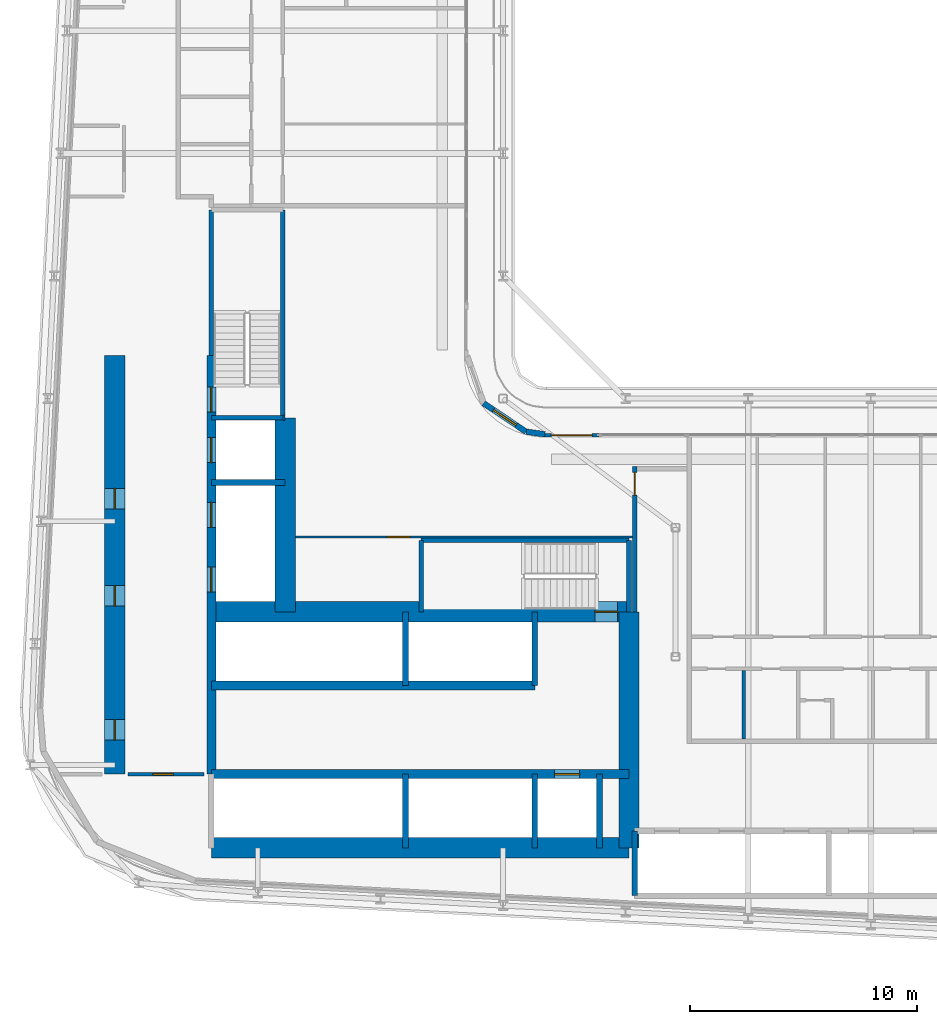
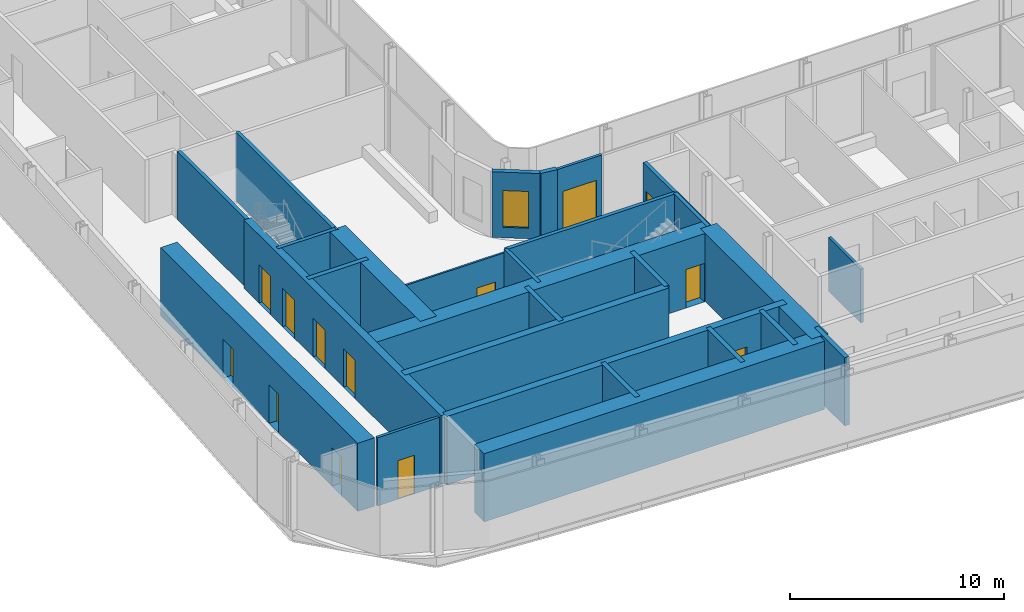
# One storey, part 13 of 28: 29 walls, 13 doors, 1 window, 14 openings.
"""IFC4 building model written with IfcOpenShell, lengths in metres."""

from ifc_helpers import new_model, si_unit, direction, frame, frame_2d, origin, place, context, subcontext, project, spatial, rectangle, extrude, source, transform, mapped, material, layer, layer_set, type_object, element, fill, save


model = new_model("IFC4")

# Units and contexts
model_context = context("Model", 3, precision=1e-05, world=origin(), true_north=direction((0.0, 1.0)))
body_context = subcontext(model_context, "Body", "Model", "MODEL_VIEW")
ifc_project = project(units=[si_unit("LENGTHUNIT", "METRE"), si_unit("AREAUNIT", "SQUARE_METRE"), si_unit("VOLUMEUNIT", "CUBIC_METRE"), si_unit("PLANEANGLEUNIT", "RADIAN"), si_unit("MASSUNIT", "GRAM", prefix="KILO")], contexts=[model_context])

# Site, building, storey
site_placement = place(None, origin())
site = spatial("IfcSite", under=ifc_project, at=site_placement, CompositionType="ELEMENT")
building_placement = place(site_placement, origin())
building = spatial("IfcBuilding", under=site, at=building_placement, Name="Kheshtan School and Residences Tower", CompositionType="ELEMENT")
storey_placement = place(building_placement, frame((0.0, 0.0, 137.0)))
storey = spatial("IfcBuildingStorey", under=building, at=storey_placement, Name="L32", CompositionType="ELEMENT", Elevation=137.0)

# Wall, opening, door
ifc_material_1 = material(Name="Concrete C50/60", Category="concrete")
ifc_layer_1 = layer(ifc_material_1, 0.39990234375)
ifc_layer_set_1 = layer_set([ifc_layer_1], Name="Core wall 400 Concrete C50/60")
wall_type_1 = type_object("IfcWallType", Name="Core wall 400 Concrete C50/60", PredefinedType="SHEAR", material=ifc_layer_set_1)
wall_1_placement = place(storey_placement, frame((34.75, 29.050048828125, 0.0), z_axis=(0.0, 0.0, 1.0), x_axis=(1.0, 0.0, 0.0)))
wall_1 = element("IfcWall", 1, at=wall_1_placement, inside=storey, type_object=wall_type_1, Name="Core wall CW-HALL-S1", PredefinedType="SHEAR", context=body_context, shape_type="SweptSolid", body=[
    extrude(rectangle(XDim=18.39990234375, YDim=0.39990234375, at=frame_2d((9.199951171875, 0.0))), origin(), (0.0, 0.0, 1.0), 3.89990234375),
])
opening_1_placement = place(wall_1_placement, frame((15.125, 0.0, 0.0)))
opening_1 = element("IfcOpeningElement", 2, at=opening_1_placement, cuts=wall_1, Name="Opening LD", PredefinedType="OPENING", context=body_context, shape_type="SweptSolid", body=[
    extrude(rectangle(XDim=1.10009765625, YDim=2.199951171875, at=frame_2d((0.550048828125, 1.10009765625))), frame((0.0, 0.2099609375, 0.0), z_axis=(0.0, -1.0, 0.0), x_axis=(1.0, 0.0, 0.0)), (0.0, 0.0, 1.0), 0.419921875),
])
ifc_material_2 = material(Name="Stainless steel door leaves", Category="steel")
door_type_1 = type_object("IfcDoorType", Name="Lift landing door 1100", OperationType="SLIDING_TO_LEFT", PredefinedType="DOOR", material=ifc_material_2)
shared_shape_1 = source(origin(), body_context, "Body", "SweptSolid", [
    extrude(rectangle(XDim=1.10009765625, YDim=2.199951171875, at=frame_2d((0.550048828125, 1.10009765625))), frame((0.0, 0.02490234375, 0.0), z_axis=(0.0, -1.0, 0.0), x_axis=(1.0, 0.0, 0.0)), (0.0, 0.0, 1.0), 0.050048828125),
])
door_1_placement = place(opening_1_placement, origin())
door_1 = element("IfcDoor", 3, at=door_1_placement, inside=storey, type_object=door_type_1, Name="Lift FFL2 landing door", OperationType="SLIDING_TO_LEFT", OverallHeight=2.199951171875, OverallWidth=1.10009765625, PredefinedType="DOOR", context=body_context, shape_type="MappedRepresentation", body=[
    mapped(shared_shape_1, transform((0.0, 0.0, 0.0), x_axis=(1.0, 0.0, 0.0), y_axis=(0.0, 1.0, 0.0), z_axis=(0.0, 0.0, 1.0), scale=1.0)),
])
fill(opening_1, door_1)

# Wall
wall_2_placement = place(storey_placement, frame((34.75, 32.949951171875, 0.0), z_axis=(0.0, 0.0, 1.0), x_axis=(1.0, 0.0, 0.0)))
element("IfcWall", 4, at=wall_2_placement, inside=storey, type_object=wall_type_1, Name="Core wall CW-HALL-S2", PredefinedType="SHEAR", context=body_context, shape_type="SweptSolid", body=[
    extrude(rectangle(XDim=14.25, YDim=0.39990234375, at=frame_2d((7.125, 0.0))), origin(), (0.0, 0.0, 1.0), 3.89990234375),
])

# Wall, openings, doors
wall_3_placement = place(storey_placement, frame((34.75, 29.050048828125, 0.0), z_axis=(0.0, 0.0, 1.0), x_axis=(0.0, 1.0, 0.0)))
wall_3 = element("IfcWall", 5, at=wall_3_placement, inside=storey, type_object=wall_type_1, Name="Core wall CW-HALL-W1", PredefinedType="SHEAR", context=body_context, shape_type="SweptSolid", body=[
    extrude(rectangle(XDim=18.449951171875, YDim=0.39990234375, at=frame_2d((9.22509765625, 0.0))), origin(), (0.0, 0.0, 1.0), 3.89990234375),
])
opening_2_placement = place(wall_3_placement, frame((8.02490234375, 0.0, 0.0)))
opening_2 = element("IfcOpeningElement", 6, at=opening_2_placement, cuts=wall_3, Name="Opening LD", PredefinedType="OPENING", context=body_context, shape_type="SweptSolid", body=[
    extrude(rectangle(XDim=1.10009765625, YDim=2.199951171875, at=frame_2d((0.550048828125, 1.10009765625))), frame((0.0, 0.2099609375, 0.0), z_axis=(0.0, -1.0, 0.0), x_axis=(1.0, 0.0, 0.0)), (0.0, 0.0, 1.0), 0.419921875),
])
opening_3_placement = place(wall_3_placement, frame((10.875, 0.0, 0.0)))
opening_3 = element("IfcOpeningElement", 7, at=opening_3_placement, cuts=wall_3, Name="Opening LD", PredefinedType="OPENING", context=body_context, shape_type="SweptSolid", body=[
    extrude(rectangle(XDim=1.10009765625, YDim=2.199951171875, at=frame_2d((0.550048828125, 1.10009765625))), frame((0.0, 0.2099609375, 0.0), z_axis=(0.0, -1.0, 0.0), x_axis=(1.0, 0.0, 0.0)), (0.0, 0.0, 1.0), 0.419921875),
])
opening_4_placement = place(wall_3_placement, frame((13.72509765625, 0.0, 0.0)))
opening_4 = element("IfcOpeningElement", 8, at=opening_4_placement, cuts=wall_3, Name="Opening LD", PredefinedType="OPENING", context=body_context, shape_type="SweptSolid", body=[
    extrude(rectangle(XDim=1.10009765625, YDim=2.199951171875, at=frame_2d((0.550048828125, 1.10009765625))), frame((0.0, 0.2099609375, 0.0), z_axis=(0.0, -1.0, 0.0), x_axis=(1.0, 0.0, 0.0)), (0.0, 0.0, 1.0), 0.419921875),
])
opening_5_placement = place(wall_3_placement, frame((15.949951171875, 0.0, 0.0)))
opening_5 = element("IfcOpeningElement", 9, at=opening_5_placement, cuts=wall_3, Name="Opening ST2D", PredefinedType="OPENING", context=body_context, shape_type="SweptSolid", body=[
    extrude(rectangle(XDim=1.10009765625, YDim=2.199951171875, at=frame_2d((0.550048828125, 1.10009765625))), frame((0.0, 0.2099609375, 0.0), z_axis=(0.0, -1.0, 0.0), x_axis=(1.0, 0.0, 0.0)), (0.0, 0.0, 1.0), 0.419921875),
])
door_2_placement = place(opening_2_placement, origin())
door_2 = element("IfcDoor", 10, at=door_2_placement, inside=storey, type_object=door_type_1, Name="Lift SV1 landing door", OperationType="SLIDING_TO_LEFT", OverallHeight=2.199951171875, OverallWidth=1.10009765625, PredefinedType="DOOR", context=body_context, shape_type="MappedRepresentation", body=[
    mapped(shared_shape_1, transform((0.0, 0.0, 0.0), x_axis=(1.0, 0.0, 0.0), y_axis=(0.0, 1.0, 0.0), z_axis=(0.0, 0.0, 1.0), scale=1.0)),
])
fill(opening_2, door_2)
door_3_placement = place(opening_3_placement, origin())
door_3 = element("IfcDoor", 11, at=door_3_placement, inside=storey, type_object=door_type_1, Name="Lift SV2 landing door", OperationType="SLIDING_TO_LEFT", OverallHeight=2.199951171875, OverallWidth=1.10009765625, PredefinedType="DOOR", context=body_context, shape_type="MappedRepresentation", body=[
    mapped(shared_shape_1, transform((0.0, 0.0, 0.0), x_axis=(1.0, 0.0, 0.0), y_axis=(0.0, 1.0, 0.0), z_axis=(0.0, 0.0, 1.0), scale=1.0)),
])
fill(opening_3, door_3)
door_4_placement = place(opening_4_placement, origin())
door_4 = element("IfcDoor", 12, at=door_4_placement, inside=storey, type_object=door_type_1, Name="Lift FFL1 landing door", OperationType="SLIDING_TO_LEFT", OverallHeight=2.199951171875, OverallWidth=1.10009765625, PredefinedType="DOOR", context=body_context, shape_type="MappedRepresentation", body=[
    mapped(shared_shape_1, transform((0.0, 0.0, 0.0), x_axis=(1.0, 0.0, 0.0), y_axis=(0.0, 1.0, 0.0), z_axis=(0.0, 0.0, 1.0), scale=1.0)),
])
fill(opening_4, door_4)
ifc_material_3 = material(Name="Steel door leaf, galvanised", Category="steel")
door_type_2 = type_object("IfcDoorType", Name="Stair door 1100 steel 90 min", OperationType="SINGLE_SWING_LEFT", PredefinedType="DOOR", material=ifc_material_3)
shared_shape_2 = source(origin(), body_context, "Body", "SweptSolid", [
    extrude(rectangle(XDim=1.10009765625, YDim=2.199951171875, at=frame_2d((0.550048828125, 1.10009765625))), frame((0.0, 0.02490234375, 0.0), z_axis=(0.0, -1.0, 0.0), x_axis=(1.0, 0.0, 0.0)), (0.0, 0.0, 1.0), 0.050048828125),
])
door_5_placement = place(opening_5_placement, origin())
door_5 = element("IfcDoor", 13, at=door_5_placement, inside=storey, type_object=door_type_2, Name="Stair ST2 door", OperationType="SINGLE_SWING_RIGHT", OverallHeight=2.199951171875, OverallWidth=1.10009765625, PredefinedType="DOOR", context=body_context, shape_type="MappedRepresentation", body=[
    mapped(shared_shape_2, transform((0.0, 0.0, 0.0), x_axis=(1.0, 0.0, 0.0), y_axis=(0.0, 1.0, 0.0), z_axis=(0.0, 0.0, 1.0), scale=1.0)),
])
fill(opening_5, door_5)

# Wall
ifc_material_4 = material(Name="Concrete C80/95", Category="concrete")
ifc_layer_2 = layer(ifc_material_4, 0.89990234375)
ifc_layer_set_2 = layer_set([ifc_layer_2], Name="Core wall 900 Concrete C80/95")
wall_type_2 = type_object("IfcWallType", Name="Core wall 900 Concrete C80/95", PredefinedType="SHEAR", material=ifc_layer_set_2)
wall_4_placement = place(storey_placement, frame((34.75, 25.800048828125, 0.0), z_axis=(0.0, 0.0, 1.0), x_axis=(1.0, 0.0, 0.0)))
element("IfcWall", 14, at=wall_4_placement, inside=storey, type_object=wall_type_2, Name="Core wall CW-REAR-S", PredefinedType="SHEAR", context=body_context, shape_type="SweptSolid", body=[
    extrude(rectangle(XDim=18.39990234375, YDim=0.89990234375, at=frame_2d((9.199951171875, 0.0))), origin(), (0.0, 0.0, 1.0), 3.89990234375),
])

# Wall, opening, door
wall_5_placement = place(storey_placement, frame((34.75, 36.199951171875, 0.0), z_axis=(0.0, 0.0, 1.0), x_axis=(1.0, 0.0, 0.0)))
wall_5 = element("IfcWall", 15, at=wall_5_placement, inside=storey, type_object=wall_type_2, Name="Core wall CW-FRONT-S", PredefinedType="SHEAR", context=body_context, shape_type="SweptSolid", body=[
    extrude(rectangle(XDim=18.39990234375, YDim=0.89990234375, at=frame_2d((9.199951171875, 0.0))), origin(), (0.0, 0.0, 1.0), 3.89990234375),
])
opening_6_placement = place(wall_5_placement, frame((16.89990234375, 0.0, 0.0)))
opening_6 = element("IfcOpeningElement", 16, at=opening_6_placement, cuts=wall_5, Name="Opening ST1D", PredefinedType="OPENING", context=body_context, shape_type="SweptSolid", body=[
    extrude(rectangle(XDim=1.0, YDim=2.199951171875, at=frame_2d((0.5, 1.10009765625))), frame((0.0, 0.4599609375, 0.0), z_axis=(0.0, -1.0, 0.0), x_axis=(1.0, 0.0, 0.0)), (0.0, 0.0, 1.0), 0.919921875),
])
shared_shape_3 = source(origin(), body_context, "Body", "SweptSolid", [
    extrude(rectangle(XDim=1.0, YDim=2.199951171875, at=frame_2d((0.5, 1.10009765625))), frame((0.0, 0.02490234375, 0.0), z_axis=(0.0, -1.0, 0.0), x_axis=(1.0, 0.0, 0.0)), (0.0, 0.0, 1.0), 0.050048828125),
])
door_6_placement = place(opening_6_placement, origin())
door_6 = element("IfcDoor", 17, at=door_6_placement, inside=storey, type_object=door_type_2, Name="Stair ST1 door", OperationType="SINGLE_SWING_RIGHT", OverallHeight=2.199951171875, OverallWidth=1.0, PredefinedType="DOOR", context=body_context, shape_type="MappedRepresentation", body=[
    mapped(shared_shape_3, transform((0.0, 0.0, 0.0), x_axis=(1.0, 0.0, 0.0), y_axis=(0.0, 1.0, 0.0), z_axis=(0.0, 0.0, 1.0), scale=1.0)),
])
fill(opening_6, door_6)

# Wall
wall_6_placement = place(storey_placement, frame((38.0, 36.199951171875, 0.0), z_axis=(0.0, 0.0, 1.0), x_axis=(0.0, 1.0, 0.0)))
element("IfcWall", 18, at=wall_6_placement, inside=storey, type_object=wall_type_2, Name="Core wall CW-FRONT-W", PredefinedType="SHEAR", context=body_context, shape_type="SweptSolid", body=[
    extrude(rectangle(XDim=8.550048828125, YDim=0.89990234375, at=frame_2d((4.27490234375, 0.0))), origin(), (0.0, 0.0, 1.0), 3.89990234375),
])

# Wall, openings, doors
wall_7_placement = place(storey_placement, frame((30.5, 29.050048828125, 0.0), z_axis=(0.0, 0.0, 1.0), x_axis=(0.0, 1.0, 0.0)))
wall_7 = element("IfcWall", 19, at=wall_7_placement, inside=storey, type_object=wall_type_2, Name="Core wall CW-REAR-W", PredefinedType="SHEAR", context=body_context, shape_type="SweptSolid", body=[
    extrude(rectangle(XDim=18.449951171875, YDim=0.89990234375, at=frame_2d((9.22509765625, 0.0))), origin(), (0.0, 0.0, 1.0), 3.89990234375),
])
opening_7_placement = place(wall_7_placement, frame((1.5, 0.0, 0.0)))
opening_7 = element("IfcOpeningElement", 20, at=opening_7_placement, cuts=wall_7, Name="Opening SR90", PredefinedType="OPENING", context=body_context, shape_type="SweptSolid", body=[
    extrude(rectangle(XDim=0.89990234375, YDim=2.199951171875, at=frame_2d((0.449951171875, 1.10009765625))), frame((0.0, 0.4599609375, 0.0), z_axis=(0.0, -1.0, 0.0), x_axis=(1.0, 0.0, 0.0)), (0.0, 0.0, 1.0), 0.919921875),
])
opening_8_placement = place(wall_7_placement, frame((7.406005859375, 0.0, 0.0)))
opening_8 = element("IfcOpeningElement", 21, at=opening_8_placement, cuts=wall_7, Name="Opening SR90", PredefinedType="OPENING", context=body_context, shape_type="SweptSolid", body=[
    extrude(rectangle(XDim=0.89990234375, YDim=2.199951171875, at=frame_2d((0.449951171875, 1.10009765625))), frame((0.0, 0.4599609375, 0.0), z_axis=(0.0, -1.0, 0.0), x_axis=(1.0, 0.0, 0.0)), (0.0, 0.0, 1.0), 0.919921875),
])
opening_9_placement = place(wall_7_placement, frame((11.68798828125, 0.0, 0.0)))
opening_9 = element("IfcOpeningElement", 22, at=opening_9_placement, cuts=wall_7, Name="Opening SR90", PredefinedType="OPENING", context=body_context, shape_type="SweptSolid", body=[
    extrude(rectangle(XDim=0.89990234375, YDim=2.199951171875, at=frame_2d((0.449951171875, 1.10009765625))), frame((0.0, 0.4599609375, 0.0), z_axis=(0.0, -1.0, 0.0), x_axis=(1.0, 0.0, 0.0)), (0.0, 0.0, 1.0), 0.919921875),
])
door_type_3 = type_object("IfcDoorType", Name="Service room door 900 steel 90 min", OperationType="SINGLE_SWING_LEFT", PredefinedType="DOOR", material=ifc_material_3)
shared_shape_4 = source(origin(), body_context, "Body", "SweptSolid", [
    extrude(rectangle(XDim=0.89990234375, YDim=2.199951171875, at=frame_2d((0.449951171875, 1.10009765625))), frame((0.0, 0.02490234375, 0.0), z_axis=(0.0, -1.0, 0.0), x_axis=(1.0, 0.0, 0.0)), (0.0, 0.0, 1.0), 0.050048828125),
])
door_7_placement = place(opening_7_placement, origin())
door_7 = element("IfcDoor", 23, at=door_7_placement, inside=storey, type_object=door_type_3, Name="Service room door", OperationType="SINGLE_SWING_LEFT", OverallHeight=2.199951171875, OverallWidth=0.89990234375, PredefinedType="DOOR", context=body_context, shape_type="MappedRepresentation", body=[
    mapped(shared_shape_4, transform((0.0, 0.0, 0.0), x_axis=(1.0, 0.0, 0.0), y_axis=(0.0, 1.0, 0.0), z_axis=(0.0, 0.0, 1.0), scale=1.0)),
])
fill(opening_7, door_7)
door_8_placement = place(opening_8_placement, origin())
door_8 = element("IfcDoor", 24, at=door_8_placement, inside=storey, type_object=door_type_3, Name="Service room door", OperationType="SINGLE_SWING_RIGHT", OverallHeight=2.199951171875, OverallWidth=0.89990234375, PredefinedType="DOOR", context=body_context, shape_type="MappedRepresentation", body=[
    mapped(shared_shape_4, transform((0.0, 0.0, 0.0), x_axis=(1.0, 0.0, 0.0), y_axis=(0.0, 1.0, 0.0), z_axis=(0.0, 0.0, 1.0), scale=1.0)),
])
fill(opening_8, door_8)
door_9_placement = place(opening_9_placement, origin())
door_9 = element("IfcDoor", 25, at=door_9_placement, inside=storey, type_object=door_type_3, Name="Service room door", OperationType="SINGLE_SWING_LEFT", OverallHeight=2.199951171875, OverallWidth=0.89990234375, PredefinedType="DOOR", context=body_context, shape_type="MappedRepresentation", body=[
    mapped(shared_shape_4, transform((0.0, 0.0, 0.0), x_axis=(1.0, 0.0, 0.0), y_axis=(0.0, 1.0, 0.0), z_axis=(0.0, 0.0, 1.0), scale=1.0)),
])
fill(opening_9, door_9)

# Wall
wall_8_placement = place(storey_placement, frame((53.14990234375, 25.800048828125, 0.0), z_axis=(0.0, 0.0, 1.0), x_axis=(0.0, 1.0, 0.0)))
element("IfcWall", 26, at=wall_8_placement, inside=storey, type_object=wall_type_2, Name="Core wall CW-EAST", PredefinedType="SHEAR", context=body_context, shape_type="SweptSolid", body=[
    extrude(rectangle(XDim=10.39990234375, YDim=0.89990234375, at=frame_2d((5.199951171875, 0.0))), origin(), (0.0, 0.0, 1.0), 3.89990234375),
])

# Wall, opening, door
ifc_material_5 = material(Name="Gypsum board on steel studs with fire boards", Category="steel")
ifc_layer_3 = layer(ifc_material_5, 0.199951171875)
ifc_layer_set_3 = layer_set([ifc_layer_3], Name="Corridor wall 200")
wall_type_3 = type_object("IfcWallType", Name="Corridor wall 200", PredefinedType="PARTITIONING", material=ifc_layer_set_3)
wall_9_placement = place(storey_placement, frame((53.39990234375, 36.198974609375, 0.0), z_axis=(0.0, 0.0, 1.0), x_axis=(0.0, 1.0, 0.0)))
wall_9 = element("IfcWall", 27, at=wall_9_placement, inside=storey, type_object=wall_type_3, Name="Partition L32-043", PredefinedType="PARTITIONING", context=body_context, shape_type="SweptSolid", body=[
    extrude(rectangle(XDim=6.401123046875, YDim=0.199951171875, at=frame_2d((3.20068359375, 0.0))), origin(), (0.0, 0.0, 1.0), 3.60009765625),
])
opening_10_placement = place(wall_9_placement, frame((5.15087890625, 0.0, 0.0)))
opening_10 = element("IfcOpeningElement", 28, at=opening_10_placement, cuts=wall_9, Name="Opening D32-064", PredefinedType="OPENING", context=body_context, shape_type="SweptSolid", body=[
    extrude(rectangle(XDim=1.0, YDim=2.10009765625, at=frame_2d((0.5, 1.050048828125))), frame((0.0, 0.10986328125, 0.0), z_axis=(0.0, -1.0, 0.0), x_axis=(1.0, 0.0, 0.0)), (0.0, 0.0, 1.0), 0.219970703125),
])
ifc_material_6 = material(Name="Steel-framed fire-resisting door leaf", Category="steel")
door_type_4 = type_object("IfcDoorType", Name="Fire door FD60 1000 x 2100", OperationType="SINGLE_SWING_LEFT", PredefinedType="DOOR", material=ifc_material_6)
shared_shape_5 = source(origin(), body_context, "Body", "SweptSolid", [
    extrude(rectangle(XDim=1.0, YDim=2.10009765625, at=frame_2d((0.5, 1.050048828125))), frame((0.0, 0.02490234375, 0.0), z_axis=(0.0, -1.0, 0.0), x_axis=(1.0, 0.0, 0.0)), (0.0, 0.0, 1.0), 0.050048828125),
])
door_10_placement = place(opening_10_placement, origin())
door_10 = element("IfcDoor", 29, at=door_10_placement, inside=storey, type_object=door_type_4, Name="Door D32-064", OperationType="SINGLE_SWING_RIGHT", OverallHeight=2.10009765625, OverallWidth=1.0, PredefinedType="DOOR", context=body_context, shape_type="MappedRepresentation", body=[
    mapped(shared_shape_5, transform((0.0, 0.0, 0.0), x_axis=(1.0, 0.0, 0.0), y_axis=(0.0, 1.0, 0.0), z_axis=(0.0, 0.0, 1.0), scale=1.0)),
])
fill(opening_10, door_10)

# Wall, opening, window
ifc_material_7 = material(Name="Concrete C40/50 with ceramic cladding and mineral wool insulation", Category="concrete")
ifc_layer_4 = layer(ifc_material_7, 0.25)
ifc_layer_set_4 = layer_set([ifc_layer_4], Name="External wall 250 ceramic clad")
wall_type_4 = type_object("IfcWallType", Name="External wall 250 ceramic clad", PredefinedType="SOLIDWALL", material=ifc_layer_set_4)
wall_10_placement = place(storey_placement, frame((46.742919921875, 45.388916015625, 0.0), z_axis=(0.0, 0.0, 1.0), x_axis=(0.831449265529, -0.555600682912, 0.0)))
wall_10 = element("IfcWall", 30, at=wall_10_placement, inside=storey, type_object=wall_type_4, Name="External wall L32 10", PredefinedType="SOLIDWALL", context=body_context, shape_type="SweptSolid", body=[
    extrude(rectangle(XDim=2.25146484375, YDim=0.25, at=frame_2d((1.125732421875, 0.0))), origin(), (0.0, 0.0, 1.0), 3.75),
])
opening_11_placement = place(wall_10_placement, frame((0.52490234375, 0.0, 0.60009765625)))
opening_11 = element("IfcOpeningElement", 31, at=opening_11_placement, cuts=wall_10, Name="Opening WN-E", PredefinedType="OPENING", context=body_context, shape_type="SweptSolid", body=[
    extrude(rectangle(XDim=1.199951171875, YDim=2.10009765625, at=frame_2d((0.60009765625, 1.050048828125))), frame((0.0, 0.135009765625, 0.0), z_axis=(0.0, -1.0, 0.0), x_axis=(1.0, 0.0, 0.0)), (0.0, 0.0, 1.0), 0.27001953125),
])
ifc_material_8 = material(Name="Clear low-e glass in thermally broken aluminium frame", Category="aluminium")
window_type = type_object("IfcWindowType", Name="Window WN-E", PartitioningType="SINGLE_PANEL", PredefinedType="WINDOW", material=ifc_material_8)
shared_shape_6 = source(origin(), body_context, "Body", "SweptSolid", [
    extrude(rectangle(XDim=1.199951171875, YDim=2.10009765625, at=frame_2d((0.60009765625, 1.050048828125))), frame((0.0, 0.030029296875, 0.0), z_axis=(0.0, -1.0, 0.0), x_axis=(1.0, 0.0, 0.0)), (0.0, 0.0, 1.0), 0.06005859375),
])
window_placement = place(opening_11_placement, origin())
window = element("IfcWindow", 32, at=window_placement, inside=storey, type_object=window_type, Name="Window L32 10", OverallHeight=2.10009765625, OverallWidth=1.199951171875, PartitioningType="SINGLE_PANEL", PredefinedType="WINDOW", context=body_context, shape_type="MappedRepresentation", body=[
    mapped(shared_shape_6, transform((0.0, 0.0, 0.0), x_axis=(1.0, 0.0, 0.0), y_axis=(0.0, 1.0, 0.0), z_axis=(0.0, 0.0, 1.0), scale=1.0)),
])
fill(opening_11, window)

# Wall
wall_11_placement = place(storey_placement, frame((48.614990234375, 44.137939453125, 0.0), z_axis=(0.0, 0.0, 1.0), x_axis=(0.990741504246, -0.135761819977, 0.0)))
element("IfcWall", 33, at=wall_11_placement, inside=storey, type_object=wall_type_4, Name="External wall L32 11", PredefinedType="SOLIDWALL", context=body_context, shape_type="SweptSolid", body=[
    extrude(rectangle(XDim=0.83984375, YDim=0.25, at=frame_2d((0.419921875, 0.0))), origin(), (0.0, 0.0, 1.0), 3.75),
])

# Wall, opening, door
ifc_material_9 = material(Name="Aluminium frame wall with insulated infill", Category="aluminium")
ifc_layer_5 = layer(ifc_material_9, 0.14990234375)
ifc_layer_set_5 = layer_set([ifc_layer_5], Name="Glazing frame wall 150")
wall_type_5 = type_object("IfcWallType", Name="Glazing frame wall 150", PredefinedType="SOLIDWALL", material=ifc_layer_set_5)
wall_12_placement = place(storey_placement, frame((49.429931640625, 43.97509765625, 0.0), z_axis=(0.0, 0.0, 1.0), x_axis=(1.0, 0.0, 0.0)))
wall_12 = element("IfcWall", 34, at=wall_12_placement, inside=storey, type_object=wall_type_5, Name="Balcony door wall L32 12.1", PredefinedType="SOLIDWALL", context=body_context, shape_type="SweptSolid", body=[
    extrude(rectangle(XDim=2.400146484375, YDim=0.14990234375, at=frame_2d((1.2001953125, 0.0))), origin(), (0.0, 0.0, 1.0), 3.75),
])
opening_12_placement = place(wall_12_placement, frame((0.300048828125, 0.0, 0.0)))
opening_12 = element("IfcOpeningElement", 35, at=opening_12_placement, cuts=wall_12, Name="Opening BD", PredefinedType="OPENING", context=body_context, shape_type="SweptSolid", body=[
    extrude(rectangle(XDim=1.800048828125, YDim=2.39990234375, at=frame_2d((0.89990234375, 1.199951171875))), frame((0.0, 0.0849609375, 0.0), z_axis=(0.0, -1.0, 0.0), x_axis=(1.0, 0.0, 0.0)), (0.0, 0.0, 1.0), 0.169921875),
])
door_type_5 = type_object("IfcDoorType", Name="Balcony sliding door", OperationType="SLIDING_TO_LEFT", PredefinedType="DOOR", material=ifc_material_8)
shared_shape_7 = source(origin(), body_context, "Body", "SweptSolid", [
    extrude(rectangle(XDim=1.800048828125, YDim=2.39990234375, at=frame_2d((0.89990234375, 1.199951171875))), frame((0.0, 0.02490234375, 0.0), z_axis=(0.0, -1.0, 0.0), x_axis=(1.0, 0.0, 0.0)), (0.0, 0.0, 1.0), 0.050048828125),
])
door_11_placement = place(opening_12_placement, origin())
door_11 = element("IfcDoor", 36, at=door_11_placement, inside=storey, type_object=door_type_5, Name="Balcony door L32 12.1", OperationType="SLIDING_TO_LEFT", OverallHeight=2.39990234375, OverallWidth=1.800048828125, PredefinedType="DOOR", context=body_context, shape_type="MappedRepresentation", body=[
    mapped(shared_shape_7, transform((0.0, 0.0, 0.0), x_axis=(1.0, 0.0, 0.0), y_axis=(0.0, 1.0, 0.0), z_axis=(0.0, 0.0, 1.0), scale=1.0)),
])
fill(opening_12, door_11)

ifc_material_10 = material(Name="Gypsum board on steel studs", Category="steel")
ifc_layer_6 = layer(ifc_material_10, 0.10009765625)
ifc_layer_set_6 = layer_set([ifc_layer_6], Name="Gypsum partition 100")
wall_type_6 = type_object("IfcWallType", Name="Gypsum partition 100", PredefinedType="PARTITIONING", material=ifc_layer_set_6)
wall_13_placement = place(storey_placement, frame((38.448974609375, 39.5, 0.0), z_axis=(0.0, 0.0, 1.0), x_axis=(1.0, 0.0, 0.0)))
wall_13 = element("IfcWall", 37, at=wall_13_placement, inside=storey, type_object=wall_type_6, Name="Partition L32-040", PredefinedType="PARTITIONING", context=body_context, shape_type="SweptSolid", body=[
    extrude(rectangle(XDim=14.85107421875, YDim=0.10009765625, at=frame_2d((7.425537109375, 0.0))), origin(), (0.0, 0.0, 1.0), 3.60009765625),
])
opening_13_placement = place(wall_13_placement, frame((4.047119140625, 0.0, 0.0)))
opening_13 = element("IfcOpeningElement", 38, at=opening_13_placement, cuts=wall_13, Name="Opening D32-063", PredefinedType="OPENING", context=body_context, shape_type="SweptSolid", body=[
    extrude(rectangle(XDim=1.0, YDim=2.10009765625, at=frame_2d((0.5, 1.050048828125))), frame((0.0, 0.06005859375, 0.0), z_axis=(0.0, -1.0, 0.0), x_axis=(1.0, 0.0, 0.0)), (0.0, 0.0, 1.0), 0.1201171875),
])
ifc_material_11 = material(Name="Veneered timber door leaf", Category="wood")
door_type_6 = type_object("IfcDoorType", Name="Door 1000 x 2100", OperationType="SINGLE_SWING_LEFT", PredefinedType="DOOR", material=ifc_material_11)
shared_shape_8 = source(origin(), body_context, "Body", "SweptSolid", [
    extrude(rectangle(XDim=1.0, YDim=2.10009765625, at=frame_2d((0.5, 1.050048828125))), frame((0.0, 0.02490234375, 0.0), z_axis=(0.0, -1.0, 0.0), x_axis=(1.0, 0.0, 0.0)), (0.0, 0.0, 1.0), 0.050048828125),
])
door_12_placement = place(opening_13_placement, origin())
door_12 = element("IfcDoor", 39, at=door_12_placement, inside=storey, type_object=door_type_6, Name="Door D32-063", OperationType="SINGLE_SWING_LEFT", OverallHeight=2.10009765625, OverallWidth=1.0, PredefinedType="DOOR", context=body_context, shape_type="MappedRepresentation", body=[
    mapped(shared_shape_8, transform((0.0, 0.0, 0.0), x_axis=(1.0, 0.0, 0.0), y_axis=(0.0, 1.0, 0.0), z_axis=(0.0, 0.0, 1.0), scale=1.0)),
])
fill(opening_13, door_12)

ifc_material_12 = material(Name="Fire-board shaft wall system")
ifc_layer_7 = layer(ifc_material_12, 0.14990234375)
ifc_layer_set_7 = layer_set([ifc_layer_7], Name="Service room wall 150")
wall_type_7 = type_object("IfcWallType", Name="Service room wall 150", PredefinedType="PARTITIONING", material=ifc_layer_set_7)
wall_14_placement = place(storey_placement, frame((31.070068359375, 29.050048828125, 0.0), z_axis=(0.0, 0.0, 1.0), x_axis=(1.0, 0.0, 0.0)))
wall_14 = element("IfcWall", 40, at=wall_14_placement, inside=storey, type_object=wall_type_7, Name="Service room wall", PredefinedType="PARTITIONING", context=body_context, shape_type="SweptSolid", body=[
    extrude(rectangle(XDim=3.35986328125, YDim=0.14990234375, at=frame_2d((1.679931640625, 0.0))), origin(), (0.0, 0.0, 1.0), 3.89990234375),
])
opening_14_placement = place(wall_14_placement, frame((1.10498046875, 0.0, 0.0)))
opening_14 = element("IfcOpeningElement", 41, at=opening_14_placement, cuts=wall_14, Name="Opening SR90", PredefinedType="OPENING", context=body_context, shape_type="SweptSolid", body=[
    extrude(rectangle(XDim=0.89990234375, YDim=2.199951171875, at=frame_2d((0.449951171875, 1.10009765625))), frame((0.0, 0.0849609375, 0.0), z_axis=(0.0, -1.0, 0.0), x_axis=(1.0, 0.0, 0.0)), (0.0, 0.0, 1.0), 0.169921875),
])
door_13_placement = place(opening_14_placement, origin())
door_13 = element("IfcDoor", 42, at=door_13_placement, inside=storey, type_object=door_type_3, Name="Service room door", OperationType="SINGLE_SWING_RIGHT", OverallHeight=2.199951171875, OverallWidth=0.89990234375, PredefinedType="DOOR", context=body_context, shape_type="MappedRepresentation", body=[
    mapped(shared_shape_4, transform((0.0, 0.0, 0.0), x_axis=(1.0, 0.0, 0.0), y_axis=(0.0, 1.0, 0.0), z_axis=(0.0, 0.0, 1.0), scale=1.0)),
])
fill(opening_14, door_13)

# Walls
ifc_layer_8 = layer(ifc_material_12, 0.25)
ifc_layer_set_8 = layer_set([ifc_layer_8], Name="Shaft lining wall 250")
wall_type_8 = type_object("IfcWallType", Name="Shaft lining wall 250", PredefinedType="PARTITIONING", material=ifc_layer_set_8)
for number, where, z_axis, x_axis, name in (
    (43, (43.300048828125, 25.800048828125, 0.0), (0.0, 0.0, 1.0), (0.0, 1.0, 0.0), "Shaft lining wall"),
    (44, (43.300048828125, 32.949951171875, 0.0), (0.0, 0.0, 1.0), (0.0, 1.0, 0.0), "Shaft lining wall"),
    (45, (49.0, 25.800048828125, 0.0), (0.0, 0.0, 1.0), (0.0, 1.0, 0.0), "Shaft lining wall"),
    (46, (49.0, 32.949951171875, 0.0), (0.0, 0.0, 1.0), (0.0, 1.0, 0.0), "Shaft lining wall"),
    (47, (51.85009765625, 25.800048828125, 0.0), (0.0, 0.0, 1.0), (0.0, 1.0, 0.0), "Shaft lining wall"),
):
    element("IfcWall", number, at=place(storey_placement, frame(where, z_axis=z_axis, x_axis=x_axis)), inside=storey, type_object=wall_type_8, Name=name, PredefinedType="PARTITIONING", context=body_context, shape_type="SweptSolid", body=[
        extrude(rectangle(XDim=3.25, YDim=0.25, at=frame_2d((1.625, 0.0))), origin(), (0.0, 0.0, 1.0), 3.89990234375),
    ])
wall_15_placement = place(storey_placement, frame((53.39990234375, 23.699951171875, 0.0), z_axis=(0.0, 0.0, 1.0), x_axis=(0.0, 1.0, 0.0)))
element("IfcWall", 48, at=wall_15_placement, inside=storey, type_object=wall_type_8, Name="Shaft lining wall", PredefinedType="PARTITIONING", context=body_context, shape_type="SweptSolid", body=[
    extrude(rectangle(XDim=2.85009765625, YDim=0.25, at=frame_2d((1.425048828125, 0.0))), origin(), (0.0, 0.0, 1.0), 3.89990234375),
])
wall_16_placement = place(storey_placement, frame((34.75, 41.89990234375, 0.0), z_axis=(0.0, 0.0, 1.0), x_axis=(1.0, 0.0, 0.0)))
element("IfcWall", 49, at=wall_16_placement, inside=storey, type_object=wall_type_8, Name="Shaft lining wall", PredefinedType="PARTITIONING", context=body_context, shape_type="SweptSolid", body=[
    extrude(rectangle(XDim=3.25, YDim=0.25, at=frame_2d((1.625, 0.0))), origin(), (0.0, 0.0, 1.0), 3.89990234375),
])
wall_17_placement = place(storey_placement, frame((37.89990234375, 44.75, 0.0), z_axis=(0.0, 0.0, 1.0), x_axis=(1.0, 0.0, 0.0)))
element("IfcWall", 50, at=wall_17_placement, inside=storey, type_object=wall_type_8, Name="Shaft lining wall", PredefinedType="PARTITIONING", context=body_context, shape_type="SweptSolid", body=[
    extrude(rectangle(XDim=0.10009765625, YDim=0.25, at=frame_2d((0.050048828125, 0.0))), origin(), (0.0, 0.0, 1.0), 3.89990234375),
])
ifc_material_13 = material(Name="Concrete C40/50", Category="concrete")
ifc_layer_9 = layer(ifc_material_13, 0.199951171875)
ifc_layer_set_9 = layer_set([ifc_layer_9], Name="Stair enclosure wall 200 Concrete C40/50")
wall_type_9 = type_object("IfcWallType", Name="Stair enclosure wall 200 Concrete C40/50", PredefinedType="SHEAR", material=ifc_layer_set_9)
wall_18_placement = place(storey_placement, frame((43.989990234375, 39.35009765625, 0.0), z_axis=(0.0, 0.0, 1.0), x_axis=(1.0, 0.0, 0.0)))
element("IfcWall", 51, at=wall_18_placement, inside=storey, type_object=wall_type_9, Name="Stair enclosure wall ST1", PredefinedType="SHEAR", context=body_context, shape_type="SweptSolid", body=[
    extrude(rectangle(XDim=9.159912109375, YDim=0.199951171875, at=frame_2d((4.580078125, 0.0))), origin(), (0.0, 0.0, 1.0), 3.89990234375),
])
for number, where, z_axis, x_axis, name in (
    (52, (43.989990234375, 36.199951171875, 0.0), (0.0, 0.0, 1.0), (0.0, 1.0, 0.0), "Stair enclosure wall ST1"),
    (53, (53.14990234375, 36.199951171875, 0.0), (0.0, 0.0, 1.0), (0.0, 1.0, 0.0), "Stair enclosure wall ST1"),
):
    element("IfcWall", number, at=place(storey_placement, frame(where, z_axis=z_axis, x_axis=x_axis)), inside=storey, type_object=wall_type_9, Name=name, PredefinedType="SHEAR", context=body_context, shape_type="SweptSolid", body=[
        extrude(rectangle(XDim=3.150146484375, YDim=0.199951171875, at=frame_2d((1.5751953125, 0.0))), origin(), (0.0, 0.0, 1.0), 3.89990234375),
    ])
wall_19_placement = place(storey_placement, frame((34.75, 44.75, 0.0), z_axis=(0.0, 0.0, 1.0), x_axis=(1.0, 0.0, 0.0)))
element("IfcWall", 54, at=wall_19_placement, inside=storey, type_object=wall_type_9, Name="Stair enclosure wall ST2", PredefinedType="SHEAR", context=body_context, shape_type="SweptSolid", body=[
    extrude(rectangle(XDim=3.14990234375, YDim=0.199951171875, at=frame_2d((1.574951171875, 0.0))), origin(), (0.0, 0.0, 1.0), 3.89990234375),
])
wall_20_placement = place(storey_placement, frame((34.75, 47.5, 0.0), z_axis=(0.0, 0.0, 1.0), x_axis=(0.0, 1.0, 0.0)))
element("IfcWall", 55, at=wall_20_placement, inside=storey, type_object=wall_type_9, Name="Stair enclosure wall ST2", PredefinedType="SHEAR", context=body_context, shape_type="SweptSolid", body=[
    extrude(rectangle(XDim=6.409912109375, YDim=0.199951171875, at=frame_2d((3.205078125, 0.0))), origin(), (0.0, 0.0, 1.0), 3.89990234375),
])
wall_21_placement = place(storey_placement, frame((37.89990234375, 44.75, 0.0), z_axis=(0.0, 0.0, 1.0), x_axis=(0.0, 1.0, 0.0)))
element("IfcWall", 56, at=wall_21_placement, inside=storey, type_object=wall_type_9, Name="Stair enclosure wall ST2", PredefinedType="SHEAR", context=body_context, shape_type="SweptSolid", body=[
    extrude(rectangle(XDim=9.159912109375, YDim=0.199951171875, at=frame_2d((4.580078125, 0.0))), origin(), (0.0, 0.0, 1.0), 3.89990234375),
])
ifc_material_14 = material(Name="Moisture-resistant gypsum board on steel studs", Category="steel")
ifc_layer_10 = layer(ifc_material_14, 0.14990234375)
ifc_layer_set_10 = layer_set([ifc_layer_10], Name="Wet-room partition 150")
wall_type_10 = type_object("IfcWallType", Name="Wet-room partition 150", PredefinedType="PARTITIONING", material=ifc_layer_set_10)
wall_22_placement = place(storey_placement, frame((58.199951171875, 30.60009765625, 0.0), z_axis=(0.0, 0.0, 1.0), x_axis=(0.0, 1.0, 0.0)))
element("IfcWall", 57, at=wall_22_placement, inside=storey, type_object=wall_type_10, Name="Partition L32-049", PredefinedType="PARTITIONING", context=body_context, shape_type="SweptSolid", body=[
    extrude(rectangle(XDim=3.02490234375, YDim=0.14990234375, at=frame_2d((1.512451171875, 0.0))), origin(), (0.0, 0.0, 1.0), 3.072021484375),
])

save(model, "model.ifc")
